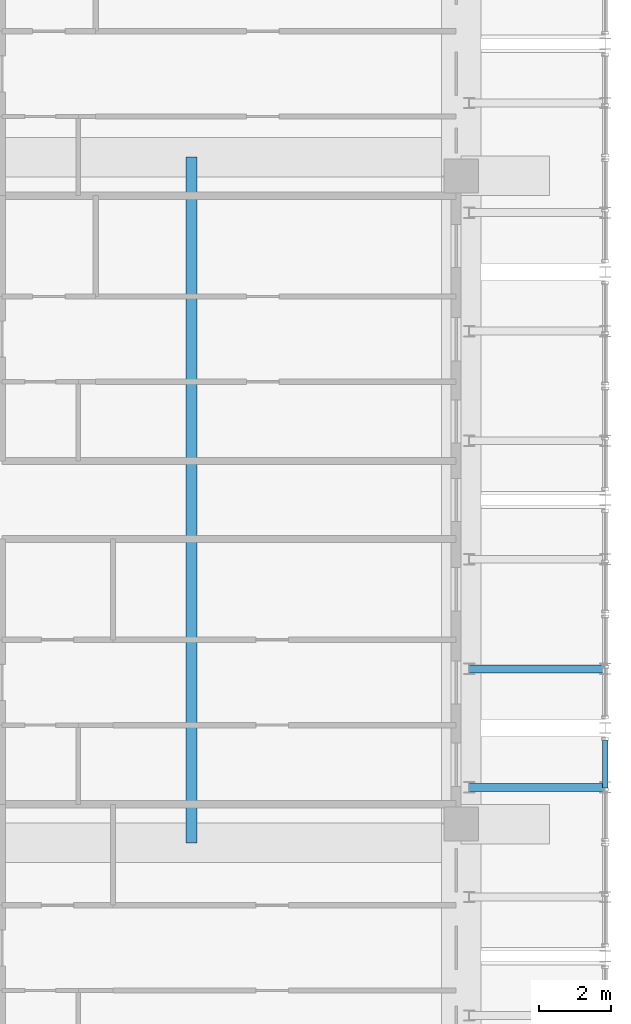
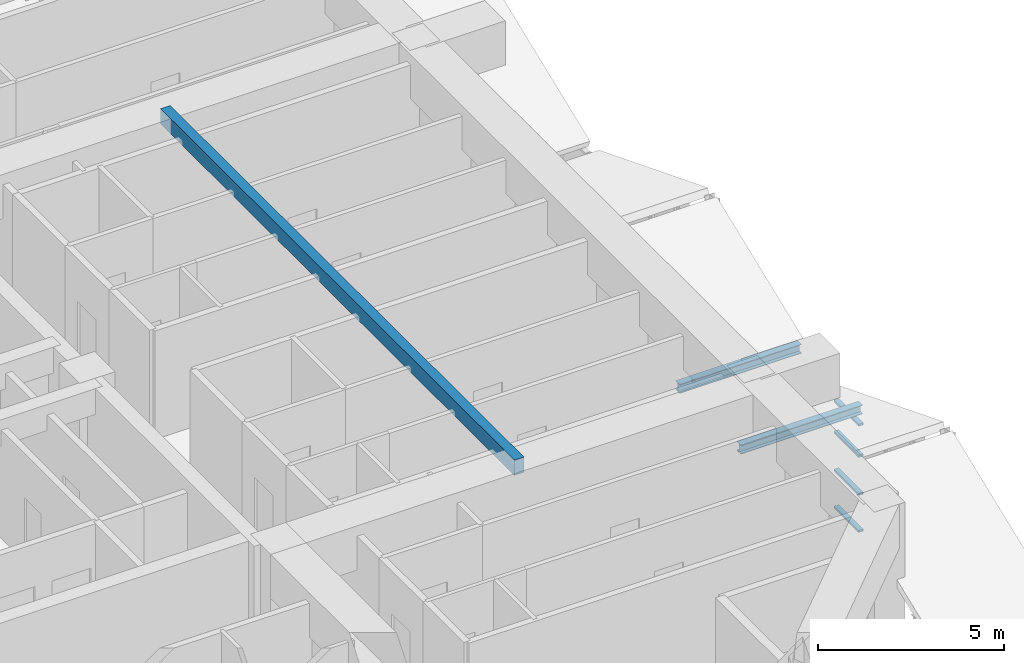
# One storey, part 15 of 45: 6 members, 1 beam, 1 element without a shape of its own.
"""IFC4 building model written with IfcOpenShell, lengths in metres."""

from ifc_helpers import new_model, si_unit, direction, frame, origin, origin_2d, place, context, subcontext, project, spatial, rectangle, hollow_rectangle, i_section, extrude, source, transform, mapped, material, layer, layer_set, material_profile, profile_set, type_object, element, aggregate, save


model = new_model("IFC4")

# Units and contexts
model_context = context("Model", 3, precision=1e-05, world=origin(), true_north=direction((0.0, 1.0)))
body_context = subcontext(model_context, "Body", "Model", "MODEL_VIEW")
ifc_project = project(units=[si_unit("LENGTHUNIT", "METRE"), si_unit("AREAUNIT", "SQUARE_METRE"), si_unit("VOLUMEUNIT", "CUBIC_METRE"), si_unit("PLANEANGLEUNIT", "RADIAN"), si_unit("MASSUNIT", "GRAM", prefix="KILO")], contexts=[model_context])

# Site, building, storey
site_placement = place(None, origin())
site = spatial("IfcSite", under=ifc_project, at=site_placement, CompositionType="ELEMENT")
building_placement = place(site_placement, origin())
building = spatial("IfcBuilding", under=site, at=building_placement, Name="Saelheon Loggia Tower", CompositionType="ELEMENT")
storey_placement = place(building_placement, frame((0.0, 0.0, 152.199951171875)))
storey = spatial("IfcBuildingStorey", under=building, at=storey_placement, Name="L48", CompositionType="ELEMENT", Elevation=152.199951171875)

# Members
ifc_material_1 = material(Name="Steel SM355", Category="steel")
ifc_material_profile_1 = material_profile(ifc_material_1, i_section(OverallWidth=0.219970703125, OverallDepth=0.300048828125, WebThickness=0.011962890625, FlangeThickness=0.02001953125, at=origin_2d()), Name="H-300x220x12x20")
ifc_profile_set_1 = profile_set([ifc_material_profile_1], Name="Steel SM355")
member_type_1 = type_object("IfcMemberType", Name="Roof_ShoulderPurlin_RHS300", PredefinedType="PURLIN", material=ifc_profile_set_1)
shared_shape_1 = source(origin(), body_context, "Body", "SweptSolid", [
    extrude(i_section(OverallWidth=0.219970703125, OverallDepth=0.300048828125, WebThickness=0.011962890625, FlangeThickness=0.02001953125, at=origin_2d()), origin(), (0.0, 0.0, 1.0), 3.780029296875),
])
for number, where, z_axis, x_axis, name in (
    (1, (64.0, 19.02197265625, 0.6220703125), (-1.0, 0.0, 0.0), (0.0, -1.0, 0.0), "Tier 1 Wave Crest Rafter E 02 B"),
    (2, (64.0, 22.3115234375, 0.6220703125), (-1.0, 0.0, 0.0), (0.0, -1.0, 0.0), "Tier 1 Wave Crest Rafter E 03 A"),
):
    element("IfcMember", number, at=place(storey_placement, frame(where, z_axis=z_axis, x_axis=x_axis)), inside=storey, type_object=member_type_1, Name=name, PredefinedType="PURLIN", context=body_context, shape_type="MappedRepresentation", body=[
        mapped(shared_shape_1, transform((0.0, 0.0, 0.0), scale=1.0)),
    ])

# Beam
ifc_material_2 = material(Name="Concrete C40/50", Category="concrete")
ifc_material_profile_2 = material_profile(ifc_material_2, rectangle(XDim=0.300048828125, YDim=0.5, at=origin_2d()), Name="RC-300x500")
ifc_profile_set_2 = profile_set([ifc_material_profile_2], Name="Concrete C40/50")
beam_type = type_object("IfcBeamType", Name="Beam_Joist_RC300x500", PredefinedType="JOIST", material=ifc_profile_set_2)
shared_shape_2 = source(origin(), body_context, "Body", "SweptSolid", [
    extrude(rectangle(XDim=0.300048828125, YDim=0.5, at=origin_2d()), origin(), (0.0, 0.0, 1.0), 19.0400390625),
])
beam_placement = place(storey_placement, frame((52.510009765625, 17.47998046875, 3.650146484375), z_axis=(0.0, 1.0, 0.0), x_axis=(-1.0, 0.0, 0.0)))
element("IfcBeam", 3, at=beam_placement, inside=storey, type_object=beam_type, Name="L48 East Floor Joist", PredefinedType="JOIST", context=body_context, shape_type="MappedRepresentation", body=[
    mapped(shared_shape_2, transform((0.0, 0.0, 0.0), scale=1.0)),
])

# Curtain wall, members
ifc_material_3 = material(Name="Bronze-Anodised Aluminium and Fritted Ceramic Screen", Category="aluminium")
ifc_layer = layer(ifc_material_3, 0.219970703125)
ifc_layer_set = layer_set([ifc_layer], Name="Bronze-Anodised Aluminium and Fritted Ceramic Screen")
curtain_wall_type = type_object("IfcCurtainWallType", Name="CW_CrownScreen", PredefinedType="NOTDEFINED", material=ifc_layer_set)
curtain_wall_placement = place(storey_placement, origin())
curtain_wall = element("IfcCurtainWall", 4, at=curtain_wall_placement, inside=storey, type_object=curtain_wall_type, Name="Tier 1 Wave Crest Glazing E 02-2", PredefinedType="NOTDEFINED")
ifc_material_4 = material(Name="Bronze-Anodised Aluminium 6063-T6", Category="aluminium")
ifc_material_profile_3 = material_profile(ifc_material_4, hollow_rectangle(XDim=0.070068359375, YDim=0.14990234375, WallThickness=0.0048828125, at=origin_2d()), Name="RHS-150x70x5")
ifc_profile_set_3 = profile_set([ifc_material_profile_3], Name="Bronze-Anodised Aluminium 6063-T6")
member_type_2 = type_object("IfcMemberType", Name="CW_CrownScreen_Transom", PredefinedType="USERDEFINED", material=ifc_profile_set_3)
shared_shape_3 = source(origin(), body_context, "Body", "SweptSolid", [
    extrude(hollow_rectangle(XDim=0.070068359375, YDim=0.14990234375, WallThickness=0.0048828125, at=origin_2d()), origin(), (0.0, 0.0, 1.0), 1.328369140625),
])
member_1_placement = place(storey_placement, frame((64.0, 18.998291015625, -3.4150390625), z_axis=(0.0, 1.0, 0.0), x_axis=(0.0, 0.0, 1.0)))
member_1 = element("IfcMember", 5, at=member_1_placement, type_object=member_type_2, Name="CW6 transom 2.1", ObjectType="TRANSOM", PredefinedType="USERDEFINED", context=body_context, shape_type="MappedRepresentation", body=[
    mapped(shared_shape_3, transform((0.0, 0.0, 0.0), scale=1.0)),
])
member_2_placement = place(storey_placement, frame((64.0, 18.998291015625, -2.199951171875), z_axis=(0.0, 1.0, 0.0), x_axis=(0.0, 0.0, 1.0)))
member_2 = element("IfcMember", 6, at=member_2_placement, type_object=member_type_2, Name="CW6 transom 2.2", ObjectType="TRANSOM", PredefinedType="USERDEFINED", context=body_context, shape_type="MappedRepresentation", body=[
    mapped(shared_shape_3, transform((0.0, 0.0, 0.0), scale=1.0)),
])
member_3_placement = place(storey_placement, frame((64.0, 18.998291015625, -0.949951171875), z_axis=(0.0, 1.0, 0.0), x_axis=(0.0, 0.0, 1.0)))
member_3 = element("IfcMember", 7, at=member_3_placement, type_object=member_type_2, Name="CW6 transom 2.3", ObjectType="TRANSOM", PredefinedType="USERDEFINED", context=body_context, shape_type="MappedRepresentation", body=[
    mapped(shared_shape_3, transform((0.0, 0.0, 0.0), scale=1.0)),
])
member_4_placement = place(storey_placement, frame((64.0, 18.998291015625, 0.074951171875), z_axis=(0.0, 1.0, 0.0), x_axis=(0.0, 0.0, 1.0)))
member_4 = element("IfcMember", 8, at=member_4_placement, type_object=member_type_2, Name="CW6 transom 2.4", ObjectType="TRANSOM", PredefinedType="USERDEFINED", context=body_context, shape_type="MappedRepresentation", body=[
    mapped(shared_shape_3, transform((0.0, 0.0, 0.0), scale=1.0)),
])
aggregate(curtain_wall, [member_1, member_2, member_3, member_4])

save(model, "model.ifc")
